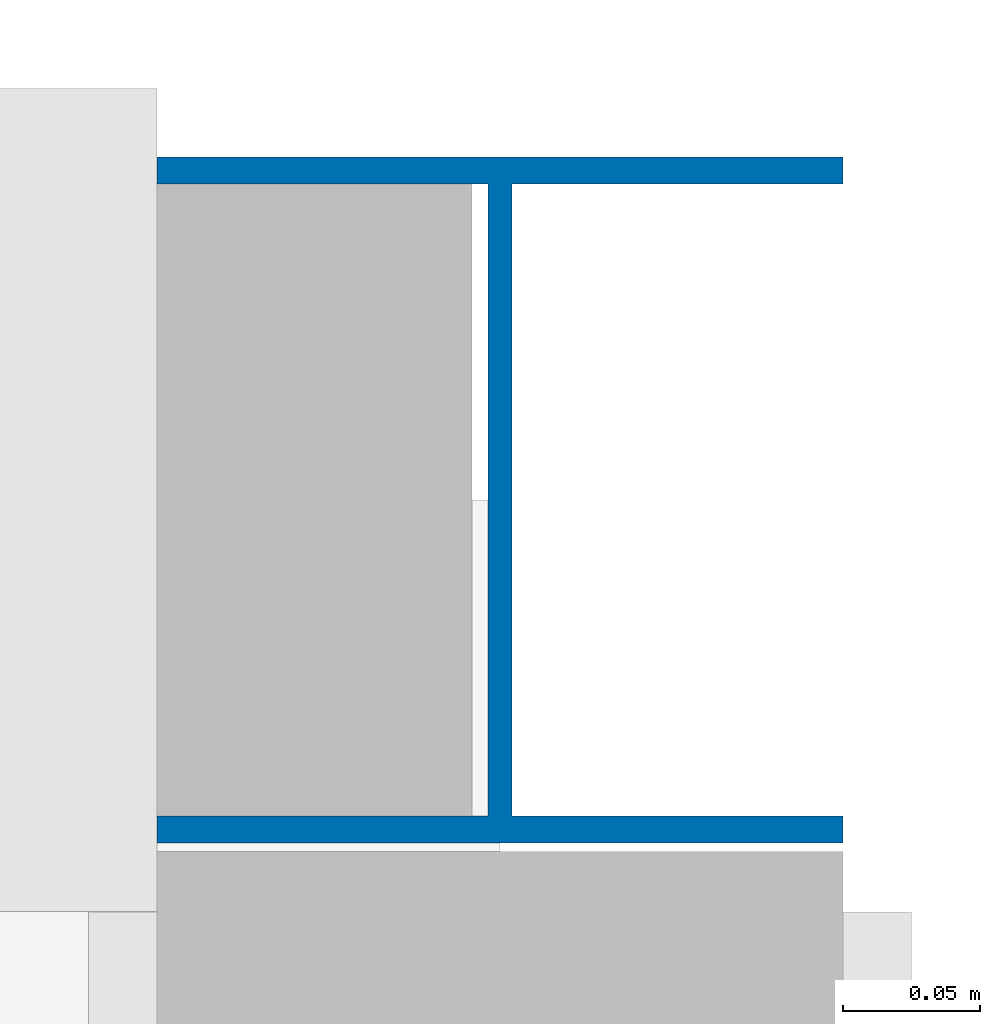
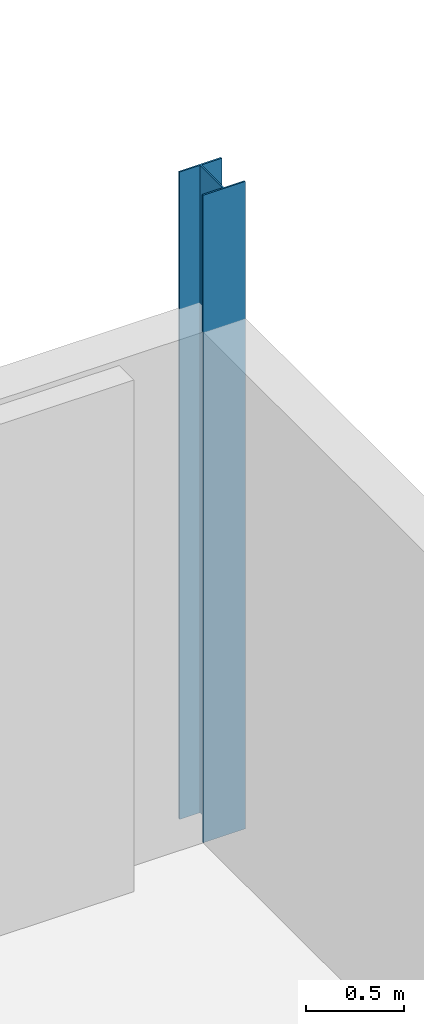
# One storey, part 4 of 107: 1 column.
"""IFC4 building model written with IfcOpenShell, lengths in metres."""

from ifc_helpers import new_model, si_unit, direction, frame, origin, origin_2d, place, context, subcontext, project, spatial, i_section, extrude, material, material_profile, profile_set, type_object, element, save


model = new_model("IFC4")

# Units and contexts
model_context = context("Model", 3, precision=1e-05, world=origin(), true_north=direction((0.0, 1.0)))
body_context = subcontext(model_context, "Body", "Model", "MODEL_VIEW")
ifc_project = project(units=[si_unit("LENGTHUNIT", "METRE"), si_unit("AREAUNIT", "SQUARE_METRE"), si_unit("VOLUMEUNIT", "CUBIC_METRE"), si_unit("PLANEANGLEUNIT", "RADIAN"), si_unit("MASSUNIT", "GRAM", prefix="KILO")], contexts=[model_context])

# Site, building, storey
site_placement = place(None, origin())
site = spatial("IfcSite", under=ifc_project, at=site_placement, CompositionType="ELEMENT")
building_placement = place(site_placement, origin())
building = spatial("IfcBuilding", under=site, at=building_placement, Name="Kangsadwip Square Police Headquarters", CompositionType="ELEMENT")
storey_placement = place(building_placement, frame((0.0, 0.0, 5.39990234375)))
storey = spatial("IfcBuildingStorey", under=building, at=storey_placement, Name="L01", CompositionType="ELEMENT", Elevation=5.39990234375)

# Column
ifc_material = material(Name="Structural steel IS 2062 E350 (Grade 350, 350 MPa)", Category="steel")
ifc_material_profile = material_profile(ifc_material, i_section(OverallWidth=0.25, OverallDepth=0.25, WebThickness=0.0087890625, FlangeThickness=0.009765625, at=origin_2d()), Name="ISHB 250")
ifc_profile_set = profile_set([ifc_material_profile], Name="Structural steel IS 2062 E350 (Grade 350, 350 MPa)")
column_type = type_object("IfcColumnType", Name="SteelColIshb250", PredefinedType="COLUMN", material=ifc_profile_set)
column_placement = place(storey_placement, frame((28.800048828125, 21.60009765625, 0.0), z_axis=(0.0, 0.0, 1.0), x_axis=(1.0, 0.0, 0.0)))
element("IfcColumn", 1, at=column_placement, inside=storey, type_object=column_type, Name="Column COL-L01-04-03", PredefinedType="COLUMN", context=body_context, shape_type="SweptSolid", body=[
    extrude(i_section(OverallWidth=0.25, OverallDepth=0.25, WebThickness=0.0087890625, FlangeThickness=0.009765625, at=origin_2d()), origin(), (0.0, 0.0, 1.0), 4.050048828125),
])

save(model, "model.ifc")
